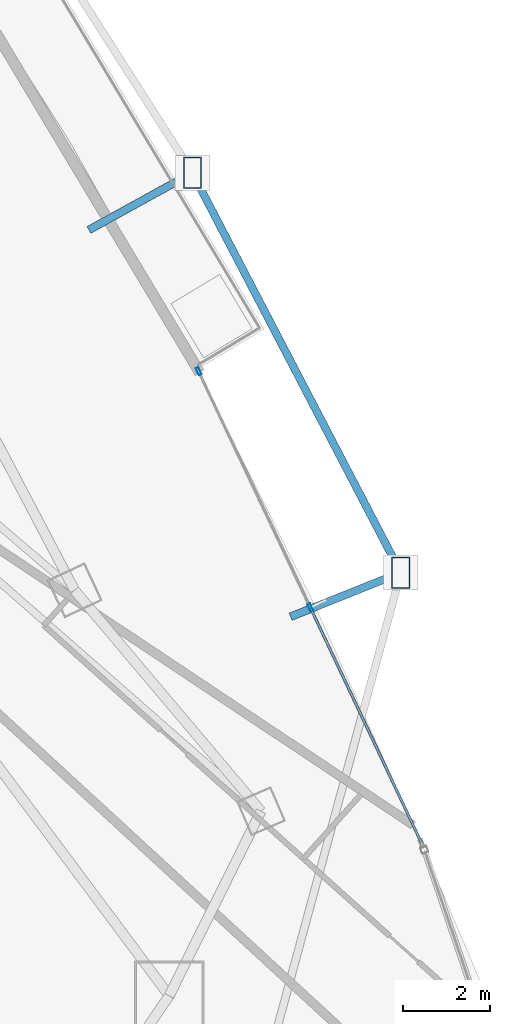
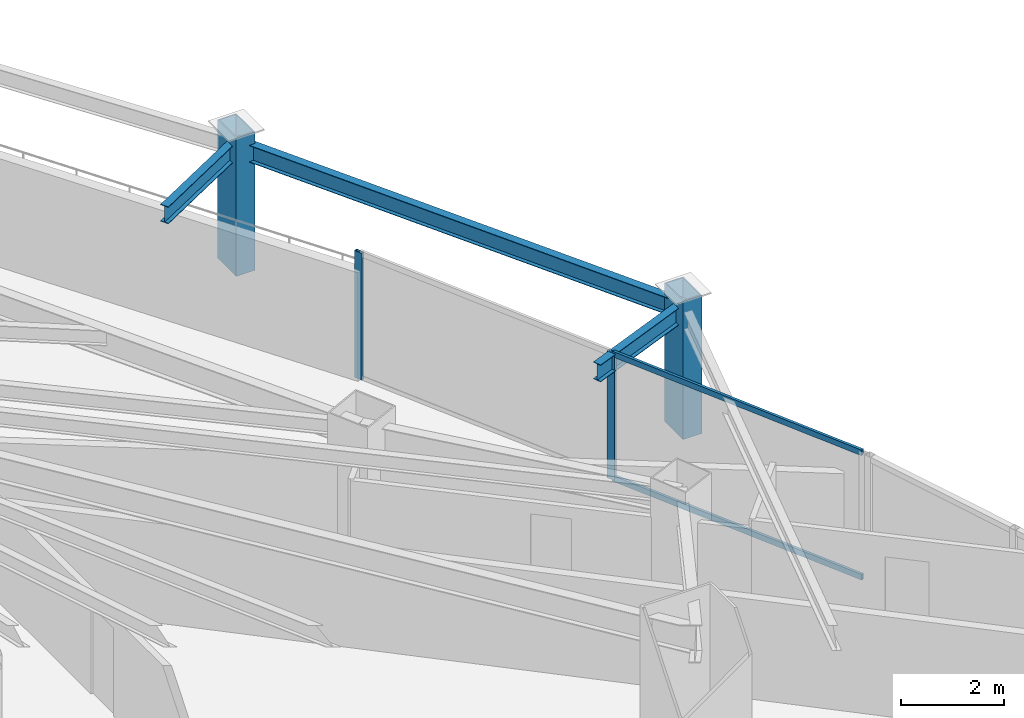
# One storey, part 17 of 33: 6 members, 3 beams, 1 element without a shape of its own.
"""IFC4 building model written with IfcOpenShell, lengths in metres."""

from ifc_helpers import new_model, si_unit, direction, frame, origin, origin_2d, place, context, subcontext, project, spatial, hollow_rectangle, i_section, extrude, material, layer, layer_set, material_profile, profile_set, type_object, element, aggregate, save


model = new_model("IFC4")

# Units and contexts
model_context = context("Model", 3, precision=1e-05, world=origin(), true_north=direction((0.0, 1.0)))
body_context = subcontext(model_context, "Body", "Model", "MODEL_VIEW")
ifc_project = project(units=[si_unit("LENGTHUNIT", "METRE"), si_unit("AREAUNIT", "SQUARE_METRE"), si_unit("VOLUMEUNIT", "CUBIC_METRE"), si_unit("PLANEANGLEUNIT", "RADIAN"), si_unit("MASSUNIT", "GRAM", prefix="KILO")], contexts=[model_context])

# Site, building, storey
site_placement = place(None, origin())
site = spatial("IfcSite", under=ifc_project, at=site_placement, CompositionType="ELEMENT")
building_placement = place(site_placement, origin())
building = spatial("IfcBuilding", under=site, at=building_placement, Name="Orvanel Arch Residences", CompositionType="ELEMENT")
storey_placement = place(building_placement, frame((0.0, 0.0, 93.949951171875)))
storey = spatial("IfcBuildingStorey", under=building, at=storey_placement, Name="L26", CompositionType="ELEMENT", Elevation=93.949951171875)

# Members
ifc_material_1 = material(Name="Structural steel AS/NZS 3678 Grade 350", Category="steel")
ifc_material_profile_1 = material_profile(ifc_material_1, hollow_rectangle(XDim=0.419921875, YDim=0.719970703125, WallThickness=0.02490234375, at=origin_2d()), Name="RHS720x420x25")
ifc_profile_set_1 = profile_set([ifc_material_profile_1], Name="Structural steel AS/NZS 3678 Grade 350")
member_type_1 = type_object("IfcMemberType", Name="CH-720RHS-EXT", PredefinedType="CHORD", material=ifc_profile_set_1)
for number, where, z_axis, x_axis, name in (
    (1, (57.10791015625, 20.0458984375, 0.0), (0.0, 0.0, 1.0), (1.0, 0.0, 0.0), "L26 Outer Perimeter Frame Post 09"),
    (2, (52.3330078125, 29.2080078125, 0.0), (0.0, 0.0, 1.0), (1.0, 0.0, 0.0), "L26 Outer Perimeter Frame Post 10"),
):
    element("IfcMember", number, at=place(storey_placement, frame(where, z_axis=z_axis, x_axis=x_axis)), inside=storey, type_object=member_type_1, Name=name, PredefinedType="CHORD", context=body_context, shape_type="SweptSolid", body=[
        extrude(hollow_rectangle(XDim=0.419921875, YDim=0.719970703125, WallThickness=0.02490234375, at=origin_2d()), origin(), (0.0, 0.0, 1.0), 3.300048828125),
    ])

# Curtain wall, members
ifc_material_2 = material(Name="Bronze-anodised aluminium AA6063-T6", Category="aluminium")
ifc_layer = layer(ifc_material_2, 0.179931640625)
ifc_layer_set = layer_set([ifc_layer], Name="Bronze-anodised aluminium AA6063-T6")
curtain_wall_type = type_object("IfcCurtainWallType", Name="CW2-LOW-SYS", PredefinedType="NOTDEFINED", material=ifc_layer_set)
curtain_wall_placement = place(storey_placement, origin())
curtain_wall = element("IfcCurtainWall", 3, at=curtain_wall_placement, inside=storey, type_object=curtain_wall_type, Name="L26 CW2-LOW-SYS Unitised Curtain Wall", PredefinedType="NOTDEFINED")
ifc_material_profile_2 = material_profile(ifc_material_2, hollow_rectangle(XDim=0.070068359375, YDim=0.179931640625, WallThickness=0.00439453125, at=origin_2d()), Name="ALU180x70x4.5")
ifc_profile_set_2 = profile_set([ifc_material_profile_2], Name="Bronze-anodised aluminium AA6063-T6")
member_type_2 = type_object("IfcMemberType", Name="MUL-180x70", PredefinedType="MULLION", material=ifc_profile_set_2)
member_1_placement = place(storey_placement, frame((55.034423828125, 19.2490234375, 0.0), z_axis=(0.0, 0.0, 1.0), x_axis=(-0.904168484488, -0.427176019527, 0.0)))
member_1 = element("IfcMember", 4, at=member_1_placement, type_object=member_type_2, Name="CW-S2 mullion 2", PredefinedType="MULLION", context=body_context, shape_type="SweptSolid", body=[
    extrude(hollow_rectangle(XDim=0.070068359375, YDim=0.179931640625, WallThickness=0.00439453125, at=origin_2d()), origin(), (0.0, 0.0, 1.0), 3.02001953125),
])
member_2_placement = place(storey_placement, frame((52.47705078125, 24.662353515625, 0.0), z_axis=(0.0, 0.0, 1.0), x_axis=(-0.904168484488, -0.427176019527, 0.0)))
member_2 = element("IfcMember", 5, at=member_2_placement, type_object=member_type_2, Name="CW-S2 mullion 3", PredefinedType="MULLION", context=body_context, shape_type="SweptSolid", body=[
    extrude(hollow_rectangle(XDim=0.070068359375, YDim=0.179931640625, WallThickness=0.00439453125, at=origin_2d()), origin(), (0.0, 0.0, 1.0), 3.02001953125),
])

# Beams
ifc_material_3 = material(Name="Structural steel AS/NZS 3679.1 Grade 300 (300 MPa)", Category="steel")
ifc_material_profile_3 = material_profile(ifc_material_3, i_section(OverallWidth=0.177978515625, OverallDepth=0.406005859375, WebThickness=0.0078125, FlangeThickness=0.0126953125, at=origin_2d()), Name="410UB59.7")
ifc_profile_set_3 = profile_set([ifc_material_profile_3], Name="Structural steel AS/NZS 3679.1 Grade 300 (300 MPa)")
beam_type = type_object("IfcBeamType", Name="OB-410UB-EXT", PredefinedType="SPANDREL", material=ifc_profile_set_3)
beam_1_placement = place(storey_placement, frame((54.5830078125, 19.035888671875, 2.817138671875), z_axis=(0.928470499261, 0.371406155042, 0.0), x_axis=(-0.371406155042, 0.928470499261, 0.0)))
element("IfcBeam", 6, at=beam_1_placement, inside=storey, type_object=beam_type, Name="L26 Outer Frame Radial Tie Beam 09", PredefinedType="SPANDREL", context=body_context, shape_type="SweptSolid", body=[
    extrude(i_section(OverallWidth=0.177978515625, OverallDepth=0.406005859375, WebThickness=0.0078125, FlangeThickness=0.0126953125, at=origin_2d()), origin(), (0.0, 0.0, 1.0), 2.719482421875),
])
beam_2_placement = place(storey_placement, frame((57.10791015625, 20.0458984375, 2.817138671875), z_axis=(-0.462160557234, 0.886796267097, 0.0), x_axis=(-0.886796267097, -0.462160557234, 0.0)))
element("IfcBeam", 7, at=beam_2_placement, inside=storey, type_object=beam_type, Name="L26 Outer Perimeter Floor Ring Beam 09", PredefinedType="SPANDREL", context=body_context, shape_type="SweptSolid", body=[
    extrude(i_section(OverallWidth=0.177978515625, OverallDepth=0.406005859375, WebThickness=0.0078125, FlangeThickness=0.0126953125, at=origin_2d()), origin(), (0.0, 0.0, 1.0), 10.331787109375),
])
beam_3_placement = place(storey_placement, frame((49.9619140625, 27.89990234375, 2.817138671875), z_axis=(0.875590833101, 0.483053509448, 0.0), x_axis=(-0.483053509448, 0.875590833101, 0.0)))
element("IfcBeam", 8, at=beam_3_placement, inside=storey, type_object=beam_type, Name="L26 Outer Frame Radial Tie Beam 10", PredefinedType="SPANDREL", context=body_context, shape_type="SweptSolid", body=[
    extrude(i_section(OverallWidth=0.177978515625, OverallDepth=0.406005859375, WebThickness=0.0078125, FlangeThickness=0.0126953125, at=origin_2d()), origin(), (0.0, 0.0, 1.0), 2.7080078125),
])

# Member
ifc_material_profile_4 = material_profile(ifc_material_2, hollow_rectangle(XDim=0.06005859375, YDim=0.135009765625, WallThickness=0.00390625, at=origin_2d()), Name="ALU135x60x4")
ifc_profile_set_4 = profile_set([ifc_material_profile_4], Name="Bronze-anodised aluminium AA6063-T6")
member_type_3 = type_object("IfcMemberType", Name="TRN-135x60", PredefinedType="USERDEFINED", material=ifc_profile_set_4)
member_3_placement = place(storey_placement, frame((57.5771484375, 13.8671875, 0.030029296875), z_axis=(-0.427165612151, 0.904173401398, 0.0), x_axis=(-0.904173401398, -0.427165612151, 0.0)))
member_3 = element("IfcMember", 9, at=member_3_placement, type_object=member_type_3, Name="CW-S2 transom 1.1", ObjectType="TRANSOM", PredefinedType="USERDEFINED", context=body_context, shape_type="SweptSolid", body=[
    extrude(hollow_rectangle(XDim=0.06005859375, YDim=0.135009765625, WallThickness=0.00390625, at=origin_2d()), origin(), (0.0, 0.0, 1.0), 5.917236328125),
])

member_4_placement = place(storey_placement, frame((57.5771484375, 13.8671875, 2.989990234375), z_axis=(-0.427165612151, 0.904173401398, 0.0), x_axis=(-0.904173401398, -0.427165612151, 0.0)))
member_4 = element("IfcMember", 10, at=member_4_placement, type_object=member_type_3, Name="CW-S2 transom 1.2", ObjectType="TRANSOM", PredefinedType="USERDEFINED", context=body_context, shape_type="SweptSolid", body=[
    extrude(hollow_rectangle(XDim=0.06005859375, YDim=0.135009765625, WallThickness=0.00390625, at=origin_2d()), origin(), (0.0, 0.0, 1.0), 5.917236328125),
])

aggregate(curtain_wall, [member_1, member_2, member_3, member_4])

save(model, "model.ifc")
